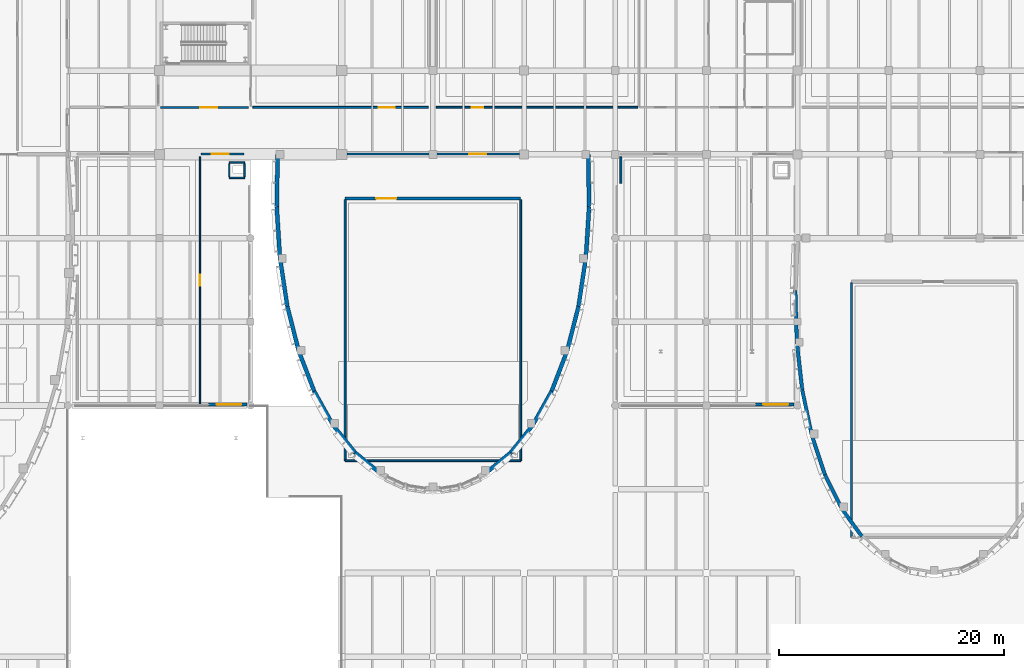
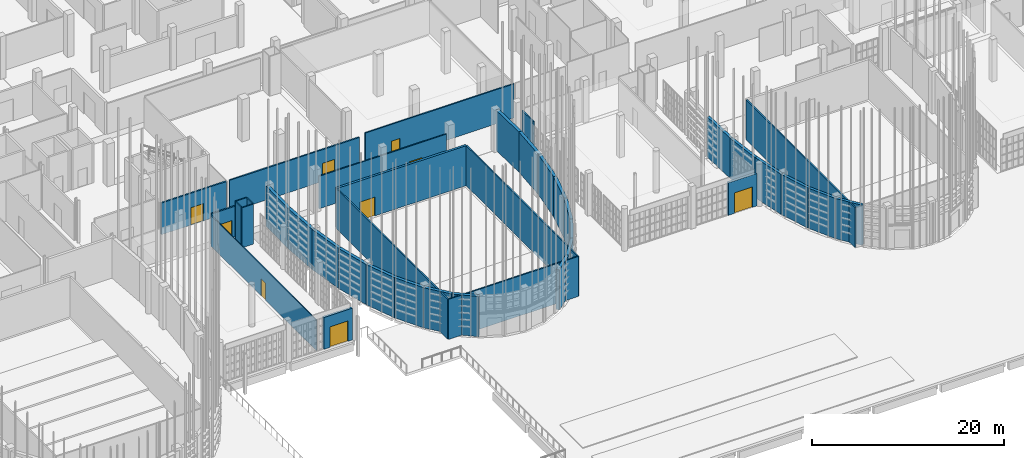
# One storey, part 350 of 372: 40 walls, 9 doors, 9 openings.
"""IFC4 building model written with IfcOpenShell, lengths in metres."""

import ifcopenshell
import ifcopenshell.guid

model = None  # the IFC model being written
_history = None  # IfcOwnerHistory: only IFC2X3 demands one
_inside = {}  # id of a spatial element -> (the spatial element, [elements in it])
_under = {}  # id of a project, library or spatial element -> (it, [spatial elements below it])
_declared = {}  # id of a project -> (the project, [libraries it declares])
_typed = {}  # id of a type object -> (the type object, [elements of that type])
_made_of = {}  # id of a material, layer set ... -> (it, [elements and type objects made of it])


def new_model(schema):
    """Start an empty IFC model of exactly this schema.

    Asked for "IFC4X3", IfcOpenShell would pick the latest addendum, in which some entities
    have other attributes; the version numbers below select the first issue.
    IFC2X3 requires an IfcOwnerHistory on every rooted entity: one is made here for all.
    """
    global model, _history
    if schema == "IFC4X3":
        model = ifcopenshell.file(schema_version=(4, 3, 0, 0))
    else:
        model = ifcopenshell.file(schema=schema)
    _inside.clear()
    _under.clear()
    _declared.clear()
    _typed.clear()
    _made_of.clear()
    _history = None
    if model.schema == "IFC2X3":
        org = make("IfcOrganization", Name="unknown")
        user = make(
            "IfcPersonAndOrganization",
            ThePerson=make("IfcPerson", FamilyName="unknown"),
            TheOrganization=org,
        )
        app = make(
            "IfcApplication",
            ApplicationDeveloper=org,
            Version="unknown",
            ApplicationFullName="unknown",
            ApplicationIdentifier="unknown",
        )
        _history = make(
            "IfcOwnerHistory",
            OwningUser=user,
            OwningApplication=app,
            ChangeAction="ADDED",
            CreationDate=0,
        )
    return model


def make(cls, **values):
    """One entity of the class cls with the attributes given. An attribute that is None is left unset."""
    return model.create_entity(
        cls, **{name: value for name, value in values.items() if value is not None}
    )


def rooted(cls, **values):
    """An entity with a GlobalId (a new one), such as an element, a storey or a relation."""
    return make(cls, GlobalId=ifcopenshell.guid.new(), OwnerHistory=_history, **values)


def si_unit(unit_type, name, prefix=None):
    """IfcSIUnit, for example si_unit("LENGTHUNIT", "METRE", prefix="MILLI")."""
    return make("IfcSIUnit", UnitType=unit_type, Prefix=prefix, Name=name)


def assignment(units):
    """IfcUnitAssignment: the units of a project."""
    return None if units is None else make("IfcUnitAssignment", Units=units)


def point(xyz):
    """IfcCartesianPoint."""
    return None if xyz is None else make("IfcCartesianPoint", Coordinates=xyz)


def direction(xyz):
    """IfcDirection."""
    return None if xyz is None else make("IfcDirection", DirectionRatios=xyz)


def frame(location, z_axis=None, x_axis=None):
    """IfcAxis2Placement3D, a coordinate frame: its origin and axes. An axis left out is left unset."""
    return make(
        "IfcAxis2Placement3D",
        Location=point(location),
        Axis=direction(z_axis),
        RefDirection=direction(x_axis),
    )


def frame_2d(location, x_axis=None):
    """IfcAxis2Placement2D, a coordinate frame in the plane: its origin and x axis."""
    return make(
        "IfcAxis2Placement2D", Location=point(location), RefDirection=direction(x_axis)
    )


def origin():
    """The frame at (0, 0, 0) with its axes left unset."""
    return frame((0.0, 0.0, 0.0))


def place(relative_to, where):
    """IfcLocalPlacement: puts the frame where relative to a parent placement (None: the world)."""
    return make(
        "IfcLocalPlacement", PlacementRelTo=relative_to, RelativePlacement=where
    )


def context(
    kind, dimensions, precision=None, world=None, true_north=None, identifier=None
):
    """IfcGeometricRepresentationContext, for example the 3D "Model" context."""
    return make(
        "IfcGeometricRepresentationContext",
        ContextIdentifier=identifier,
        ContextType=kind,
        CoordinateSpaceDimension=dimensions,
        Precision=precision,
        WorldCoordinateSystem=world,
        TrueNorth=true_north,
    )


def subcontext(parent, identifier, kind, view, scale=None):
    """IfcGeometricRepresentationSubContext, for example "Body" below "Model"."""
    return make(
        "IfcGeometricRepresentationSubContext",
        ContextIdentifier=identifier,
        ContextType=kind,
        ParentContext=parent,
        TargetScale=scale,
        TargetView=view,
    )


def project(units=None, contexts=None):
    """IfcProject with its units and contexts."""
    return rooted(
        "IfcProject",
        Name="project",
        RepresentationContexts=contexts,
        UnitsInContext=assignment(units),
    )


def spatial(cls, under=None, at=None, **own):
    """A site, building, storey or space (cls), placed at a placement, below another one or the project."""
    s = rooted(cls, ObjectPlacement=at, **own)
    if under is not None:
        _under.setdefault(under.id(), (under, []))[1].append(s)
    return s


def profile(cls, at=None, kind="AREA", **sizes):
    """A parametric profile (cls). Its sizes go by their IFC names, for example OverallWidth=200.0."""
    return make(cls, ProfileType=kind, Position=at, **sizes)


def rectangle(**sizes):
    """IfcRectangleProfileDef."""
    return profile("IfcRectangleProfileDef", **sizes)


def extrude(swept, where, along, depth):
    """IfcExtrudedAreaSolid: the profile swept, set in the frame where, extruded along a direction by depth."""
    return make(
        "IfcExtrudedAreaSolid",
        SweptArea=swept,
        Position=where,
        ExtrudedDirection=direction(along),
        Depth=depth,
    )


def shape(context_of_items, identifier, shape_type, items):
    """IfcShapeRepresentation: the items that make up one representation, for example the "Body"."""
    return make(
        "IfcShapeRepresentation",
        ContextOfItems=context_of_items,
        RepresentationIdentifier=identifier,
        RepresentationType=shape_type,
        Items=items,
    )


def material(Name=None, Category=None):
    """IfcMaterial."""
    return make("IfcMaterial", Name=Name, Category=Category)


def layer(
    of_material, thickness, ventilated=None, Name=None, Category=None, Priority=None
):
    """IfcMaterialLayer: one layer of a wall or slab, of a material (None: an air gap)."""
    return make(
        "IfcMaterialLayer",
        Material=of_material,
        LayerThickness=thickness,
        IsVentilated=ventilated,
        Name=Name,
        Category=Category,
        Priority=Priority,
    )


def layer_set(layers, Name=None):
    """IfcMaterialLayerSet."""
    return make("IfcMaterialLayerSet", MaterialLayers=layers, LayerSetName=Name)


def made_of(thing, what):
    """Note that an element or type object is made of a material, layer set ...; save() writes the relation."""
    if what is not None:
        _made_of.setdefault(what.id(), (what, []))[1].append(thing)
    return thing


def type_object(cls, material=None, **own):
    """A type object (cls), such as IfcWallType, which elements share."""
    return made_of(rooted(cls, **own), material)


def element(
    cls,
    number,
    at=None,
    inside=None,
    cuts=None,
    type_object=None,
    material=None,
    context=None,
    identifier="Body",
    shape_type=None,
    held_by="IfcProductDefinitionShape",
    body=None,
    shapes=None,
    **own,
):
    """One element of the class cls, such as IfcWall. Its Tag is "e" and its number.

    at: its placement. inside: the storey or other place that contains it. cuts: it is an
    opening in that element (IfcRelVoidsElement). A single representation is given by context,
    identifier, shape_type and body (its items); several are given by shapes. held_by: the class
    of the entity that holds the representations. save() writes the other relations.
    """
    e = rooted(cls, Tag="e%d" % number, ObjectPlacement=at, **own)
    if body is not None:
        shapes = [shape(context, identifier, shape_type, body)]
    if shapes is not None:
        e.Representation = make(held_by, Representations=shapes)
    if inside is not None:
        _inside.setdefault(inside.id(), (inside, []))[1].append(e)
    if cuts is not None:
        rooted(
            "IfcRelVoidsElement", RelatingBuildingElement=cuts, RelatedOpeningElement=e
        )
    if type_object is not None:
        _typed.setdefault(type_object.id(), (type_object, []))[1].append(e)
    return made_of(e, material)


def fill(opening, filler):
    """IfcRelFillsElement: the door or window that sits in an opening."""
    return rooted(
        "IfcRelFillsElement",
        RelatingOpeningElement=opening,
        RelatedBuildingElement=filler,
    )


def aggregate(whole, parts):
    """IfcRelAggregates: a whole, such as a stair, and the parts it consists of."""
    return rooted("IfcRelAggregates", RelatingObject=whole, RelatedObjects=parts)


def save(model, path):
    """Write the relations noted so far, then the file.

    IfcRelAggregates (storeys below a building ...), IfcRelContainedInSpatialStructure (elements
    in a storey), IfcRelDefinesByType, IfcRelAssociatesMaterial and IfcRelDeclares: one each for
    every whole, place, type object, material and project.
    """
    for whole, parts in _under.values():
        aggregate(whole, parts)
    for where, things in _inside.values():
        rooted(
            "IfcRelContainedInSpatialStructure",
            RelatedElements=things,
            RelatingStructure=where,
        )
    for kind, things in _typed.values():
        rooted("IfcRelDefinesByType", RelatedObjects=things, RelatingType=kind)
    for what, things in _made_of.values():
        rooted("IfcRelAssociatesMaterial", RelatedObjects=things, RelatingMaterial=what)
    for by, libraries in _declared.values():
        rooted("IfcRelDeclares", RelatingContext=by, RelatedDefinitions=libraries)
    model.write(path)


model = new_model("IFC4")

# Units and contexts
model_context = context("Model", 3, precision=1e-05, world=origin(), true_north=direction((0.0, 1.0)))
body_context = subcontext(model_context, "Body", "Model", "MODEL_VIEW")
ifc_project = project(units=[si_unit("LENGTHUNIT", "METRE"), si_unit("AREAUNIT", "SQUARE_METRE"), si_unit("VOLUMEUNIT", "CUBIC_METRE"), si_unit("PLANEANGLEUNIT", "RADIAN"), si_unit("MASSUNIT", "GRAM", prefix="KILO")], contexts=[model_context])

# Site, building, storey
site_placement = place(None, origin())
site = spatial("IfcSite", under=ifc_project, at=site_placement, CompositionType="ELEMENT")
building_placement = place(site_placement, origin())
building = spatial("IfcBuilding", under=site, at=building_placement, Name="Kaelora Sail Theatre", CompositionType="ELEMENT")
storey_placement = place(building_placement, origin())
storey = spatial("IfcBuildingStorey", under=building, at=storey_placement, Name="L00", CompositionType="ELEMENT", Elevation=0.0)

# Walls
ifc_material_1 = material(Name="Concrete C45/55", Category="concrete")
ifc_layer_1 = layer(ifc_material_1, 0.320068359375)
ifc_layer_set_1 = layer_set([ifc_layer_1], Name="Concrete C45/55")
wall_type_1 = type_object("IfcWallType", Name="ARC-WL-DW-320", PredefinedType="SHEAR", material=ifc_layer_set_1)
wall_1_placement = place(storey_placement, frame((128.723876953125, 27.063720703125, 0.0), z_axis=(0.0, 0.0, 1.0), x_axis=(-0.590526669923, 0.80701812378, 0.0)))
element("IfcWall", 1, at=wall_1_placement, inside=storey, type_object=wall_type_1, Name="Black-Box and Experimental Sail Wing curved drum acoustic wall L00 chord 14", PredefinedType="SHEAR", context=body_context, shape_type="SweptSolid", body=[
    extrude(rectangle(XDim=3.0234375, YDim=0.320068359375, at=frame_2d((1.51171875, 0.0))), origin(), (0.0, 0.0, 1.0), 5.10498046875),
])
wall_2_placement = place(storey_placement, frame((126.9384765625, 29.503662109375, 0.0), z_axis=(0.0, 0.0, 1.0), x_axis=(-0.444471407129, 0.895793038734, 0.0)))
element("IfcWall", 2, at=wall_2_placement, inside=storey, type_object=wall_type_1, Name="Black-Box and Experimental Sail Wing curved drum acoustic wall L00 chord 15", PredefinedType="SHEAR", context=body_context, shape_type="SweptSolid", body=[
    extrude(rectangle(XDim=3.3857421875, YDim=0.320068359375, at=frame_2d((1.69287109375, 0.0))), origin(), (0.0, 0.0, 1.0), 5.10498046875),
])
wall_3_placement = place(storey_placement, frame((125.43359375, 32.53662109375, 0.0), z_axis=(0.0, 0.0, 1.0), x_axis=(-0.316110347453, 0.948722429498, 0.0)))
element("IfcWall", 3, at=wall_3_placement, inside=storey, type_object=wall_type_1, Name="Black-Box and Experimental Sail Wing curved drum acoustic wall L00 chord 16", PredefinedType="SHEAR", context=body_context, shape_type="SweptSolid", body=[
    extrude(rectangle(XDim=3.74267578125, YDim=0.320068359375, at=frame_2d((1.871337890625, 0.0))), origin(), (0.0, 0.0, 1.0), 5.10498046875),
])
wall_4_placement = place(storey_placement, frame((124.25048828125, 36.08740234375, 0.0), z_axis=(0.0, 0.0, 1.0), x_axis=(-0.205581027368, 0.978640097884, 0.0)))
element("IfcWall", 4, at=wall_4_placement, inside=storey, type_object=wall_type_1, Name="Black-Box and Experimental Sail Wing curved drum acoustic wall L00 chord 17", PredefinedType="SHEAR", context=body_context, shape_type="SweptSolid", body=[
    extrude(rectangle(XDim=4.068603515625, YDim=0.320068359375, at=frame_2d((2.0341796875, 0.0))), origin(), (0.0, 0.0, 1.0), 5.10498046875),
])
wall_5_placement = place(storey_placement, frame((123.4140625, 40.069091796875, 0.0), z_axis=(0.0, 0.0, 1.0), x_axis=(-0.110727786474, 0.99385077215, 0.0)))
element("IfcWall", 5, at=wall_5_placement, inside=storey, type_object=wall_type_1, Name="Black-Box and Experimental Sail Wing curved drum acoustic wall L00 chord 18", PredefinedType="SHEAR", context=body_context, shape_type="SweptSolid", body=[
    extrude(rectangle(XDim=4.34130859375, YDim=0.320068359375, at=frame_2d((2.170654296875, 0.0))), origin(), (0.0, 0.0, 1.0), 5.10498046875),
])
wall_6_placement = place(storey_placement, frame((122.933349609375, 44.3837890625, 0.0), z_axis=(0.0, 0.0, 1.0), x_axis=(-0.028914192202, 0.99958189734, 0.0)))
element("IfcWall", 6, at=wall_6_placement, inside=storey, type_object=wall_type_1, Name="Black-Box and Experimental Sail Wing curved drum acoustic wall L00 chord 19", PredefinedType="SHEAR", context=body_context, shape_type="SweptSolid", body=[
    extrude(rectangle(XDim=4.542724609375, YDim=0.320068359375, at=frame_2d((2.271484375, 0.0))), origin(), (0.0, 0.0, 1.0), 5.10498046875),
])
ifc_material_2 = material(Name="Concrete C45/55", Category="concrete")
ifc_layer_2 = layer(ifc_material_2, 0.360107421875)
ifc_layer_set_2 = layer_set([ifc_layer_2], Name="Concrete C45/55")
wall_type_2 = type_object("IfcWallType", Name="ARC-WL-DW-360", PredefinedType="SHEAR", material=ifc_layer_set_2)
wall_7_placement = place(storey_placement, frame((104.39990234375, 61.02001953125, 0.0), z_axis=(0.0, 0.0, 1.0), x_axis=(0.0166215432, -0.999861852608, 0.0)))
element("IfcWall", 7, at=wall_7_placement, inside=storey, type_object=wall_type_2, Name="Studio Theatre Sail Drum curved drum acoustic wall L00 chord 1", PredefinedType="SHEAR", context=body_context, shape_type="SweptSolid", body=[
    extrude(rectangle(XDim=4.65625, YDim=0.360107421875, at=frame_2d((2.328125, 0.0))), origin(), (0.0, 0.0, 1.0), 5.10498046875),
])
wall_8_placement = place(storey_placement, frame((104.477294921875, 56.364501953125, 0.0), z_axis=(0.0, 0.0, 1.0), x_axis=(-0.062087628492, -0.998070702099, 0.0)))
element("IfcWall", 8, at=wall_8_placement, inside=storey, type_object=wall_type_2, Name="Studio Theatre Sail Drum curved drum acoustic wall L00 chord 2", PredefinedType="SHEAR", context=body_context, shape_type="SweptSolid", body=[
    extrude(rectangle(XDim=4.549560546875, YDim=0.360107421875, at=frame_2d((2.27490234375, 0.0))), origin(), (0.0, 0.0, 1.0), 5.10498046875),
])
wall_9_placement = place(storey_placement, frame((104.19482421875, 51.82373046875, 0.0), z_axis=(0.0, 0.0, 1.0), x_axis=(-0.149336298687, -0.988786463244, 0.0)))
element("IfcWall", 9, at=wall_9_placement, inside=storey, type_object=wall_type_2, Name="Studio Theatre Sail Drum curved drum acoustic wall L00 chord 3", PredefinedType="SHEAR", context=body_context, shape_type="SweptSolid", body=[
    extrude(rectangle(XDim=4.36328125, YDim=0.360107421875, at=frame_2d((2.181640625, 0.0))), origin(), (0.0, 0.0, 1.0), 5.10498046875),
])
wall_10_placement = place(storey_placement, frame((103.543212890625, 47.50927734375, 0.0), z_axis=(0.0, 0.0, 1.0), x_axis=(-0.247662085518, -0.968846474627, 0.0)))
element("IfcWall", 10, at=wall_10_placement, inside=storey, type_object=wall_type_2, Name="Studio Theatre Sail Drum curved drum acoustic wall L00 chord 4", PredefinedType="SHEAR", context=body_context, shape_type="SweptSolid", body=[
    extrude(rectangle(XDim=4.109619140625, YDim=0.360107421875, at=frame_2d((2.0546875, 0.0))), origin(), (0.0, 0.0, 1.0), 5.10498046875),
])
wall_11_placement = place(storey_placement, frame((102.525390625, 43.527587890625, 0.0), z_axis=(0.0, 0.0, 1.0), x_axis=(-0.359301516444, -0.933221527978, 0.0)))
element("IfcWall", 11, at=wall_11_placement, inside=storey, type_object=wall_type_2, Name="Studio Theatre Sail Drum curved drum acoustic wall L00 chord 5", PredefinedType="SHEAR", context=body_context, shape_type="SweptSolid", body=[
    extrude(rectangle(XDim=3.80517578125, YDim=0.360107421875, at=frame_2d((1.902587890625, 0.0))), origin(), (0.0, 0.0, 1.0), 5.10498046875),
])
wall_12_placement = place(storey_placement, frame((101.158203125, 39.9765625, 0.0), z_axis=(0.0, 0.0, 1.0), x_axis=(-0.4858221348, -0.874057694514, 0.0)))
element("IfcWall", 12, at=wall_12_placement, inside=storey, type_object=wall_type_2, Name="Studio Theatre Sail Drum curved drum acoustic wall L00 chord 6", PredefinedType="SHEAR", context=body_context, shape_type="SweptSolid", body=[
    extrude(rectangle(XDim=3.469970703125, YDim=0.360107421875, at=frame_2d((1.73486328125, 0.0))), origin(), (0.0, 0.0, 1.0), 5.10498046875),
])
wall_13_placement = place(storey_placement, frame((99.472412109375, 36.943603515625, 0.0), z_axis=(0.0, 0.0, 1.0), x_axis=(-0.626301385679, -0.779581024844, 0.0)))
element("IfcWall", 13, at=wall_13_placement, inside=storey, type_object=wall_type_2, Name="Studio Theatre Sail Drum curved drum acoustic wall L00 chord 7", PredefinedType="SHEAR", context=body_context, shape_type="SweptSolid", body=[
    extrude(rectangle(XDim=3.1298828125, YDim=0.360107421875, at=frame_2d((1.56494140625, 0.0))), origin(), (0.0, 0.0, 1.0), 5.10498046875),
])
for number, where, z_axis, x_axis, name in (
    (14, (97.51220703125, 34.503662109375, 0.0), (0.0, 0.0, 1.0), (-0.772994903331, -0.634412231459, 0.0), "Studio Theatre Sail Drum curved drum acoustic wall L00 chord 8"),
    (15, (85.865234375, 32.716552734375, 0.0), (0.0, 0.0, 1.0), (-0.772994903331, 0.634412231459, 0.0), "Studio Theatre Sail Drum curved drum acoustic wall L00 chord 13"),
):
    element("IfcWall", number, at=place(storey_placement, frame(where, z_axis=z_axis, x_axis=x_axis)), inside=storey, type_object=wall_type_2, Name=name, PredefinedType="SHEAR", context=body_context, shape_type="SweptSolid", body=[
        extrude(rectangle(XDim=2.81689453125, YDim=0.360107421875, at=frame_2d((1.408447265625, 0.0))), origin(), (0.0, 0.0, 1.0), 5.10498046875),
    ])
wall_14_placement = place(storey_placement, frame((83.687744140625, 34.503662109375, 0.0), z_axis=(0.0, 0.0, 1.0), x_axis=(-0.62625397499, 0.779619111367, 0.0)))
element("IfcWall", 16, at=wall_14_placement, inside=storey, type_object=wall_type_2, Name="Studio Theatre Sail Drum curved drum acoustic wall L00 chord 14", PredefinedType="SHEAR", context=body_context, shape_type="SweptSolid", body=[
    extrude(rectangle(XDim=3.129638671875, YDim=0.360107421875, at=frame_2d((1.56494140625, 0.0))), origin(), (0.0, 0.0, 1.0), 5.10498046875),
])
wall_15_placement = place(storey_placement, frame((81.727783203125, 36.943603515625, 0.0), z_axis=(0.0, 0.0, 1.0), x_axis=(-0.4858221348, 0.874057694514, 0.0)))
element("IfcWall", 17, at=wall_15_placement, inside=storey, type_object=wall_type_2, Name="Studio Theatre Sail Drum curved drum acoustic wall L00 chord 15", PredefinedType="SHEAR", context=body_context, shape_type="SweptSolid", body=[
    extrude(rectangle(XDim=3.469970703125, YDim=0.360107421875, at=frame_2d((1.73486328125, 0.0))), origin(), (0.0, 0.0, 1.0), 5.10498046875),
])
wall_16_placement = place(storey_placement, frame((80.0419921875, 39.9765625, 0.0), z_axis=(0.0, 0.0, 1.0), x_axis=(-0.359301516444, 0.933221527978, 0.0)))
element("IfcWall", 18, at=wall_16_placement, inside=storey, type_object=wall_type_2, Name="Studio Theatre Sail Drum curved drum acoustic wall L00 chord 16", PredefinedType="SHEAR", context=body_context, shape_type="SweptSolid", body=[
    extrude(rectangle(XDim=3.80517578125, YDim=0.360107421875, at=frame_2d((1.902587890625, 0.0))), origin(), (0.0, 0.0, 1.0), 5.10498046875),
])
wall_17_placement = place(storey_placement, frame((78.6748046875, 43.527587890625, 0.0), z_axis=(0.0, 0.0, 1.0), x_axis=(-0.247662085518, 0.968846474627, 0.0)))
element("IfcWall", 19, at=wall_17_placement, inside=storey, type_object=wall_type_2, Name="Studio Theatre Sail Drum curved drum acoustic wall L00 chord 17", PredefinedType="SHEAR", context=body_context, shape_type="SweptSolid", body=[
    extrude(rectangle(XDim=4.109619140625, YDim=0.360107421875, at=frame_2d((2.0546875, 0.0))), origin(), (0.0, 0.0, 1.0), 5.10498046875),
])
wall_18_placement = place(storey_placement, frame((77.656982421875, 47.50927734375, 0.0), z_axis=(0.0, 0.0, 1.0), x_axis=(-0.149391002348, 0.988778199809, 0.0)))
element("IfcWall", 20, at=wall_18_placement, inside=storey, type_object=wall_type_2, Name="Studio Theatre Sail Drum curved drum acoustic wall L00 chord 18", PredefinedType="SHEAR", context=body_context, shape_type="SweptSolid", body=[
    extrude(rectangle(XDim=4.363525390625, YDim=0.360107421875, at=frame_2d((2.181640625, 0.0))), origin(), (0.0, 0.0, 1.0), 5.10498046875),
])
wall_19_placement = place(storey_placement, frame((77.005126953125, 51.82373046875, 0.0), z_axis=(0.0, 0.0, 1.0), x_axis=(-0.062087628492, 0.998070702099, 0.0)))
element("IfcWall", 21, at=wall_19_placement, inside=storey, type_object=wall_type_2, Name="Studio Theatre Sail Drum curved drum acoustic wall L00 chord 19", PredefinedType="SHEAR", context=body_context, shape_type="SweptSolid", body=[
    extrude(rectangle(XDim=4.549560546875, YDim=0.360107421875, at=frame_2d((2.27490234375, 0.0))), origin(), (0.0, 0.0, 1.0), 5.10498046875),
])
wall_20_placement = place(storey_placement, frame((76.72265625, 56.364501953125, 0.0), z_axis=(0.0, 0.0, 1.0), x_axis=(0.0166215432, 0.999861852608, 0.0)))
element("IfcWall", 22, at=wall_20_placement, inside=storey, type_object=wall_type_2, Name="Studio Theatre Sail Drum curved drum acoustic wall L00 chord 20", PredefinedType="SHEAR", context=body_context, shape_type="SweptSolid", body=[
    extrude(rectangle(XDim=4.65625, YDim=0.360107421875, at=frame_2d((2.328125, 0.0))), origin(), (0.0, 0.0, 1.0), 5.10498046875),
])

# Wall, opening, door
ifc_material_3 = material(Name="Precast concrete C45/55", Category="concrete")
ifc_layer_3 = layer(ifc_material_3, 0.280029296875)
ifc_layer_set_3 = layer_set([ifc_layer_3], Name="Precast concrete C45/55")
wall_type_3 = type_object("IfcWallType", Name="ARC-WL-EW-280", PredefinedType="SOLIDWALL", material=ifc_layer_set_3)
wall_21_placement = place(storey_placement, frame((74.070068359375, 38.7900390625, 0.0), z_axis=(0.0, 0.0, 1.0), x_axis=(-1.0, 0.0, 0.0)))
wall_21 = element("IfcWall", 23, at=wall_21_placement, inside=storey, type_object=wall_type_3, Name="West Interstitial Foyer Portal Pier (L00)", PredefinedType="SOLIDWALL", context=body_context, shape_type="SweptSolid", body=[
    extrude(rectangle(XDim=3.41015625, YDim=0.280029296875, at=frame_2d((1.705078125, 0.0))), origin(), (0.0, 0.0, 1.0), 4.037109375),
])
opening_1_placement = place(wall_21_placement, frame((0.5, 0.0, 0.0)))
opening_1 = element("IfcOpeningElement", 24, at=opening_1_placement, cuts=wall_21, Name="Opening ED-01", PredefinedType="OPENING", context=body_context, shape_type="SweptSolid", body=[
    extrude(rectangle(XDim=2.199951171875, YDim=2.60009765625, at=frame_2d((1.10009765625, 1.300048828125))), frame((0.0, 0.150137, 0.0), z_axis=(0.0, -1.0, 0.0), x_axis=(1.0, 0.0, 0.0)), (0.0, 0.0, 1.0), 0.300029),
])
ifc_material_4 = material(Name="Aluminium glazed double plaza entrance door", Category="aluminium")
door_type_1 = type_object("IfcDoorType", Name="ARC-DR-ED-01", OperationType="NOTDEFINED", PredefinedType="DOOR", material=ifc_material_4)
door_1_placement = place(opening_1_placement, origin())
door_1 = element("IfcDoor", 25, at=door_1_placement, inside=storey, type_object=door_type_1, Name="West Interstitial Foyer Entrance/Terrace Door (L00)", OperationType="DOUBLE_DOOR_SINGLE_SWING", OverallHeight=2.60009765625, OverallWidth=2.199951171875, PredefinedType="DOOR", context=body_context, shape_type="SweptSolid", body=[
    extrude(rectangle(XDim=2.199951171875, YDim=2.60009765625, at=frame_2d((1.10009765625, 1.300048828125))), frame((0.0, 0.02490234375, 0.0), z_axis=(0.0, -1.0, 0.0), x_axis=(1.0, 0.0, 0.0)), (0.0, 0.0, 1.0), 0.050048828125),
])
fill(opening_1, door_1)

wall_22_placement = place(storey_placement, frame((122.669921875, 38.7900390625, 0.0), z_axis=(0.0, 0.0, 1.0), x_axis=(-1.0, 0.0, 0.0)))
wall_22 = element("IfcWall", 26, at=wall_22_placement, inside=storey, type_object=wall_type_3, Name="East Interstitial Foyer Portal Pier (L00)", PredefinedType="SOLIDWALL", context=body_context, shape_type="SweptSolid", body=[
    extrude(rectangle(XDim=3.409912109375, YDim=0.280029296875, at=frame_2d((1.705078125, 0.0))), origin(), (0.0, 0.0, 1.0), 4.136962890625),
])
opening_2_placement = place(wall_22_placement, frame((0.5, 0.0, 0.0)))
opening_2 = element("IfcOpeningElement", 27, at=opening_2_placement, cuts=wall_22, Name="Opening ED-01", PredefinedType="OPENING", context=body_context, shape_type="SweptSolid", body=[
    extrude(rectangle(XDim=2.199951171875, YDim=2.60009765625, at=frame_2d((1.10009765625, 1.300048828125))), frame((0.0, 0.150137, 0.0), z_axis=(0.0, -1.0, 0.0), x_axis=(1.0, 0.0, 0.0)), (0.0, 0.0, 1.0), 0.300029),
])
door_2_placement = place(opening_2_placement, origin())
door_2 = element("IfcDoor", 28, at=door_2_placement, inside=storey, type_object=door_type_1, Name="East Interstitial Foyer Entrance/Terrace Door (L00)", OperationType="DOUBLE_DOOR_SINGLE_SWING", OverallHeight=2.60009765625, OverallWidth=2.199951171875, PredefinedType="DOOR", context=body_context, shape_type="SweptSolid", body=[
    extrude(rectangle(XDim=2.199951171875, YDim=2.60009765625, at=frame_2d((1.10009765625, 1.300048828125))), frame((0.0, 0.02490234375, 0.0), z_axis=(0.0, -1.0, 0.0), x_axis=(1.0, 0.0, 0.0)), (0.0, 0.0, 1.0), 0.050048828125),
])
fill(opening_2, door_2)

ifc_material_5 = material(Name="Demountable acoustic studio wall 150 mm", Category="timber")
ifc_layer_4 = layer(ifc_material_5, 0.14990234375)
ifc_layer_set_4 = layer_set([ifc_layer_4], Name="Demountable acoustic studio wall 150 mm")
wall_type_4 = type_object("IfcWallType", Name="ARC-WL-MV-150", PredefinedType="MOVABLE", material=ifc_layer_set_4)
wall_23_placement = place(storey_placement, frame((82.955078125, 61.050048828125, 0.0), z_axis=(0.0, 0.0, 1.0), x_axis=(1.0, 0.0, 0.0)))
wall_23 = element("IfcWall", 29, at=wall_23_placement, inside=storey, type_object=wall_type_4, Name="Interior acoustic partition L00-STUD-LOB/L00-COR-FOYC", PredefinedType="MOVABLE", context=body_context, shape_type="SweptSolid", body=[
    extrude(rectangle(XDim=15.33984375, YDim=0.14990234375, at=frame_2d((7.669921875, 0.0))), origin(), (0.0, 0.0, 1.0), 4.136962890625),
])
opening_3_placement = place(wall_23_placement, frame((10.883056640625, 0.0, 0.0)))
opening_3 = element("IfcOpeningElement", 30, at=opening_3_placement, cuts=wall_23, Name="Opening FD-01", PredefinedType="OPENING", context=body_context, shape_type="SweptSolid", body=[
    extrude(rectangle(XDim=1.5, YDim=2.199951171875, at=frame_2d((0.75, 1.10009765625))), frame((0.0, 0.084951, 0.0), z_axis=(0.0, -1.0, 0.0), x_axis=(1.0, 0.0, 0.0)), (0.0, 0.0, 1.0), 0.169902),
])
ifc_material_6 = material(Name="Acoustic steel double fire door EI 90-C", Category="steel")
door_type_2 = type_object("IfcDoorType", Name="ARC-DR-FD-01", OperationType="NOTDEFINED", PredefinedType="DOOR", material=ifc_material_6)
door_3_placement = place(opening_3_placement, origin())
door_3 = element("IfcDoor", 31, at=door_3_placement, inside=storey, type_object=door_type_2, Name="Interior door L00-STUD-LOB to L00-COR-FOYC", OperationType="DOUBLE_DOOR_SINGLE_SWING", OverallHeight=2.199951171875, OverallWidth=1.5, PredefinedType="DOOR", context=body_context, shape_type="SweptSolid", body=[
    extrude(rectangle(XDim=1.5, YDim=2.199951171875, at=frame_2d((0.75, 1.10009765625))), frame((0.0, 0.02490234375, 0.0), z_axis=(0.0, -1.0, 0.0), x_axis=(1.0, 0.0, 0.0)), (0.0, 0.0, 1.0), 0.050048828125),
])
fill(opening_3, door_3)

# Walls
ifc_material_7 = material(Name="Standard metal-stud partition 120 mm", Category="gypsum")
ifc_layer_5 = layer(ifc_material_7, 0.1201171875)
ifc_layer_set_5 = layer_set([ifc_layer_5], Name="Standard metal-stud partition 120 mm")
wall_type_5 = type_object("IfcWallType", Name="ARC-WL-PT-120", PredefinedType="PARTITIONING", material=ifc_layer_set_5)
for number, where, z_axis, x_axis, name in (
    (32, (72.5048828125, 58.925048828125, 0.0), (0.0, 0.0, 1.0), (1.0, 0.0, 0.0), "MEP riser shaft wall FI-WEST-L00-S"),
    (33, (72.5048828125, 60.284912109375, 0.0), (0.0, 0.0, 1.0), (1.0, 0.0, 0.0), "MEP riser shaft wall FI-WEST-L00-N"),
):
    element("IfcWall", number, at=place(storey_placement, frame(where, z_axis=z_axis, x_axis=x_axis)), inside=storey, type_object=wall_type_5, Name=name, PredefinedType="PARTITIONING", context=body_context, shape_type="SweptSolid", body=[
        extrude(rectangle(XDim=1.360107421875, YDim=0.1201171875, at=frame_2d((0.68017578125, 0.0))), origin(), (0.0, 0.0, 1.0), 5.0849609375),
    ])
for number, where, z_axis, x_axis, name in (
    (34, (72.5048828125, 59.044921875, 0.0), (0.0, 0.0, 1.0), (0.0, 1.0, 0.0), "MEP riser shaft wall FI-WEST-L00-W"),
    (35, (73.864990234375, 59.044921875, 0.0), (0.0, 0.0, 1.0), (0.0, 1.0, 0.0), "MEP riser shaft wall FI-WEST-L00-E"),
):
    element("IfcWall", number, at=place(storey_placement, frame(where, z_axis=z_axis, x_axis=x_axis)), inside=storey, type_object=wall_type_5, Name=name, PredefinedType="PARTITIONING", context=body_context, shape_type="SweptSolid", body=[
        extrude(rectangle(XDim=1.1201171875, YDim=0.1201171875, at=frame_2d((0.56005859375, 0.0))), origin(), (0.0, 0.0, 1.0), 5.0849609375),
    ])

# Wall, opening, door
wall_24_placement = place(storey_placement, frame((69.89990234375, 38.8701171875, 0.0), z_axis=(0.0, 0.0, 1.0), x_axis=(0.0, 1.0, 0.0)))
wall_24 = element("IfcWall", 36, at=wall_24_placement, inside=storey, type_object=wall_type_5, Name="Interior acoustic partition L00-FOY-INTER1/L00-COR-INTER1", PredefinedType="PARTITIONING", context=body_context, shape_type="SweptSolid", body=[
    extrude(rectangle(XDim=21.929931640625, YDim=0.1201171875, at=frame_2d((10.96484375, 0.0))), origin(), (0.0, 0.0, 1.0), 3.886962890625),
])
opening_4_placement = place(wall_24_placement, frame((10.489990234375, 0.0, 0.0)))
opening_4 = element("IfcOpeningElement", 37, at=opening_4_placement, cuts=wall_24, Name="Opening ID-02", PredefinedType="OPENING", context=body_context, shape_type="SweptSolid", body=[
    extrude(rectangle(XDim=0.949951171875, YDim=2.14990234375, at=frame_2d((0.47509765625, 1.074951171875))), frame((0.0, 0.070059, 0.0), z_axis=(0.0, -1.0, 0.0), x_axis=(1.0, 0.0, 0.0)), (0.0, 0.0, 1.0), 0.140117),
])
ifc_material_8 = material(Name="Timber dressing and office single door", Category="wood")
door_type_3 = type_object("IfcDoorType", Name="ARC-DR-ID-02", OperationType="NOTDEFINED", PredefinedType="DOOR", material=ifc_material_8)
door_4_placement = place(opening_4_placement, origin())
door_4 = element("IfcDoor", 38, at=door_4_placement, inside=storey, type_object=door_type_3, Name="Interior door L00-FOY-INTER1 to L00-COR-INTER1", OperationType="SINGLE_SWING_RIGHT", OverallHeight=2.14990234375, OverallWidth=0.949951171875, PredefinedType="DOOR", context=body_context, shape_type="SweptSolid", body=[
    extrude(rectangle(XDim=0.949951171875, YDim=2.14990234375, at=frame_2d((0.47509765625, 1.074951171875))), frame((0.0, 0.02490234375, 0.0), z_axis=(0.0, -1.0, 0.0), x_axis=(1.0, 0.0, 0.0)), (0.0, 0.0, 1.0), 0.050048828125),
])
fill(opening_4, door_4)

ifc_material_9 = material(Name="Acoustic metal-stud plasterboard 160 mm", Category="gypsum")
ifc_layer_6 = layer(ifc_material_9, 0.159912109375)
ifc_layer_set_6 = layer_set([ifc_layer_6], Name="Acoustic metal-stud plasterboard 160 mm")
wall_type_6 = type_object("IfcWallType", Name="ARC-WL-PT-160", PredefinedType="PARTITIONING", material=ifc_layer_set_6)
wall_25_placement = place(storey_placement, frame((90.89990234375, 65.199951171875, 0.0), z_axis=(0.0, 0.0, 1.0), x_axis=(1.0, 0.0, 0.0)))
wall_25 = element("IfcWall", 39, at=wall_25_placement, inside=storey, type_object=wall_type_6, Name="Interior acoustic partition L00-COR-FOYC/L00-BAR-STALLS", PredefinedType="PARTITIONING", context=body_context, shape_type="SweptSolid", body=[
    extrude(rectangle(XDim=17.900146484375, YDim=0.159912109375, at=frame_2d((8.9501953125, 0.0))), origin(), (0.0, 0.0, 1.0), 4.3369140625),
])
opening_5_placement = place(wall_25_placement, frame((3.169921875, 0.0, 0.0)))
opening_5 = element("IfcOpeningElement", 40, at=opening_5_placement, cuts=wall_25, Name="Opening ID-01", PredefinedType="OPENING", context=body_context, shape_type="SweptSolid", body=[
    extrude(rectangle(XDim=1.0, YDim=2.199951171875, at=frame_2d((0.5, 1.10009765625))), frame((0.0, 0.090078, 0.0), z_axis=(0.0, -1.0, 0.0), x_axis=(1.0, 0.0, 0.0)), (0.0, 0.0, 1.0), 0.179912),
])
ifc_material_10 = material(Name="Solid timber acoustic studio single door", Category="wood")
door_type_4 = type_object("IfcDoorType", Name="ARC-DR-ID-01", OperationType="NOTDEFINED", PredefinedType="DOOR", material=ifc_material_10)
door_5_placement = place(opening_5_placement, origin())
door_5 = element("IfcDoor", 41, at=door_5_placement, inside=storey, type_object=door_type_4, Name="Interior door L00-COR-FOYC to L00-BAR-STALLS", OperationType="SINGLE_SWING_LEFT", OverallHeight=2.199951171875, OverallWidth=1.0, PredefinedType="DOOR", context=body_context, shape_type="SweptSolid", body=[
    extrude(rectangle(XDim=1.0, YDim=2.199951171875, at=frame_2d((0.5, 1.10009765625))), frame((0.0, 0.02490234375, 0.0), z_axis=(0.0, -1.0, 0.0), x_axis=(1.0, 0.0, 0.0)), (0.0, 0.0, 1.0), 0.050048828125),
])
fill(opening_5, door_5)

# Walls
wall_26_placement = place(storey_placement, frame((82.800048828125, 33.800048828125, 0.0), z_axis=(0.0, 0.0, 1.0), x_axis=(1.0, 0.0, 0.0)))
element("IfcWall", 42, at=wall_26_placement, inside=storey, type_object=wall_type_6, Name="Room enclosure wall L00-AUD-STUD-S1", PredefinedType="PARTITIONING", context=body_context, shape_type="SweptSolid", body=[
    extrude(rectangle(XDim=15.599853515625, YDim=0.159912109375, at=frame_2d((7.7998046875, 0.0))), origin(), (0.0, 0.0, 1.0), 5.0849609375),
])
for number, where, z_axis, x_axis, name in (
    (43, (82.800048828125, 33.800048828125, 0.0), (0.0, 0.0, 1.0), (0.0, 1.0, 0.0), "Room enclosure wall L00-AUD-STUD-W1"),
    (44, (98.39990234375, 33.800048828125, 0.0), (0.0, 0.0, 1.0), (0.0, 1.0, 0.0), "Room enclosure wall L00-AUD-STUD-E1"),
):
    element("IfcWall", number, at=place(storey_placement, frame(where, z_axis=z_axis, x_axis=x_axis)), inside=storey, type_object=wall_type_6, Name=name, PredefinedType="PARTITIONING", context=body_context, shape_type="SweptSolid", body=[
        extrude(rectangle(XDim=23.199951171875, YDim=0.159912109375, at=frame_2d((11.60009765625, 0.0))), origin(), (0.0, 0.0, 1.0), 5.0849609375),
    ])
wall_27_placement = place(storey_placement, frame((127.800048828125, 27.0, 0.0), z_axis=(0.0, 0.0, 1.0), x_axis=(0.0, 1.0, 0.0)))
element("IfcWall", 45, at=wall_27_placement, inside=storey, type_object=wall_type_6, Name="Room enclosure wall L00-AUD-BB-W1", PredefinedType="PARTITIONING", context=body_context, shape_type="SweptSolid", body=[
    extrude(rectangle(XDim=22.60009765625, YDim=0.159912109375, at=frame_2d((11.300048828125, 0.0))), origin(), (0.0, 0.0, 1.0), 5.0849609375),
])
wall_28_placement = place(storey_placement, frame((107.300048828125, 58.449951171875, 0.0), z_axis=(0.0, 0.0, 1.0), x_axis=(0.0, 1.0, 0.0)))
element("IfcWall", 46, at=wall_28_placement, inside=storey, type_object=wall_type_6, Name="Room enclosure wall L00-FOY-INTER2-W1", PredefinedType="PARTITIONING", context=body_context, shape_type="SweptSolid", body=[
    extrude(rectangle(XDim=2.35009765625, YDim=0.159912109375, at=frame_2d((1.175048828125, 0.0))), origin(), (0.0, 0.0, 1.0), 4.136962890625),
])

# Wall, opening, door
ifc_material_11 = material(Name="Workshop acoustic stud partition 170 mm", Category="gypsum")
ifc_layer_7 = layer(ifc_material_11, 0.169921875)
ifc_layer_set_7 = layer_set([ifc_layer_7], Name="Workshop acoustic stud partition 170 mm")
wall_type_7 = type_object("IfcWallType", Name="ARC-WL-PT-170", PredefinedType="PARTITIONING", material=ifc_layer_set_7)
wall_29_placement = place(storey_placement, frame((74.60009765625, 65.199951171875, 0.0), z_axis=(0.0, 0.0, 1.0), x_axis=(1.0, 0.0, 0.0)))
wall_29 = element("IfcWall", 47, at=wall_29_placement, inside=storey, type_object=wall_type_7, Name="Interior acoustic partition L00-COR-FOYC/L00-FOY-EXH", PredefinedType="PARTITIONING", context=body_context, shape_type="SweptSolid", body=[
    extrude(rectangle(XDim=15.599853515625, YDim=0.169921875, at=frame_2d((7.7998046875, 0.0))), origin(), (0.0, 0.0, 1.0), 4.037109375),
])
opening_6_placement = place(wall_29_placement, frame((11.172119140625, 0.0, 0.0)))
opening_6 = element("IfcOpeningElement", 48, at=opening_6_placement, cuts=wall_29, Name="Opening ID-12", PredefinedType="OPENING", context=body_context, shape_type="SweptSolid", body=[
    extrude(rectangle(XDim=1.449951171875, YDim=2.300048828125, at=frame_2d((0.72509765625, 1.14990234375))), frame((0.0, 0.094961, 0.0), z_axis=(0.0, -1.0, 0.0), x_axis=(1.0, 0.0, 0.0)), (0.0, 0.0, 1.0), 0.189922),
])
ifc_material_12 = material(Name="Orchestra warm-up acoustic double door", Category="steel")
door_type_5 = type_object("IfcDoorType", Name="ARC-DR-ID-12", OperationType="NOTDEFINED", PredefinedType="DOOR", material=ifc_material_12)
door_6_placement = place(opening_6_placement, origin())
door_6 = element("IfcDoor", 49, at=door_6_placement, inside=storey, type_object=door_type_5, Name="Interior door L00-COR-FOYC to L00-FOY-EXH", OperationType="DOUBLE_DOOR_SINGLE_SWING", OverallHeight=2.300048828125, OverallWidth=1.449951171875, PredefinedType="DOOR", context=body_context, shape_type="SweptSolid", body=[
    extrude(rectangle(XDim=1.449951171875, YDim=2.300048828125, at=frame_2d((0.72509765625, 1.14990234375))), frame((0.0, 0.02490234375, 0.0), z_axis=(0.0, -1.0, 0.0), x_axis=(1.0, 0.0, 0.0)), (0.0, 0.0, 1.0), 0.050048828125),
])
fill(opening_6, door_6)

ifc_material_13 = material(Name="Rehearsal double-stud partition 185 mm", Category="gypsum")
ifc_layer_8 = layer(ifc_material_13, 0.18505859375)
ifc_layer_set_8 = layer_set([ifc_layer_8], Name="Rehearsal double-stud partition 185 mm")
wall_type_8 = type_object("IfcWallType", Name="ARC-WL-PT-185", PredefinedType="PARTITIONING", material=ifc_layer_set_8)
wall_30_placement = place(storey_placement, frame((70.0, 61.050048828125, 0.0), z_axis=(0.0, 0.0, 1.0), x_axis=(1.0, 0.0, 0.0)))
wall_30 = element("IfcWall", 50, at=wall_30_placement, inside=storey, type_object=wall_type_8, Name="Interior acoustic partition L00-COR-INTER1/L00-COR-FOYC", PredefinedType="PARTITIONING", context=body_context, shape_type="SweptSolid", body=[
    extrude(rectangle(XDim=3.800048828125, YDim=0.18505859375, at=frame_2d((1.89990234375, 0.0))), origin(), (0.0, 0.0, 1.0), 3.886962890625),
])
opening_7_placement = place(wall_30_placement, frame((0.9599609375, 0.0, 0.0)))
opening_7 = element("IfcOpeningElement", 51, at=opening_7_placement, cuts=wall_30, Name="Opening FD-01", PredefinedType="OPENING", context=body_context, shape_type="SweptSolid", body=[
    extrude(rectangle(XDim=1.5, YDim=2.199951171875, at=frame_2d((0.75, 1.10009765625))), frame((0.0, 0.102529, 0.0), z_axis=(0.0, -1.0, 0.0), x_axis=(1.0, 0.0, 0.0)), (0.0, 0.0, 1.0), 0.205059),
])
door_7_placement = place(opening_7_placement, origin())
door_7 = element("IfcDoor", 52, at=door_7_placement, inside=storey, type_object=door_type_2, Name="Interior door L00-COR-INTER1 to L00-COR-FOYC", OperationType="DOUBLE_DOOR_SINGLE_SWING", OverallHeight=2.199951171875, OverallWidth=1.5, PredefinedType="DOOR", context=body_context, shape_type="SweptSolid", body=[
    extrude(rectangle(XDim=1.5, YDim=2.199951171875, at=frame_2d((0.75, 1.10009765625))), frame((0.0, 0.02490234375, 0.0), z_axis=(0.0, -1.0, 0.0), x_axis=(1.0, 0.0, 0.0)), (0.0, 0.0, 1.0), 0.050048828125),
])
fill(opening_7, door_7)

wall_31_placement = place(storey_placement, frame((66.39990234375, 65.199951171875, 0.0), z_axis=(0.0, 0.0, 1.0), x_axis=(1.0, 0.0, 0.0)))
wall_31 = element("IfcWall", 53, at=wall_31_placement, inside=storey, type_object=wall_type_8, Name="Interior acoustic partition L00-COR-FOYC/L00-COR-STF1", PredefinedType="PARTITIONING", context=body_context, shape_type="SweptSolid", body=[
    extrude(rectangle(XDim=7.800048828125, YDim=0.18505859375, at=frame_2d((3.89990234375, 0.0))), origin(), (0.0, 0.0, 1.0), 4.037109375),
])
opening_8_placement = place(wall_31_placement, frame((3.544921875, 0.0, 0.0)))
opening_8 = element("IfcOpeningElement", 54, at=opening_8_placement, cuts=wall_31, Name="Opening FD-01", PredefinedType="OPENING", context=body_context, shape_type="SweptSolid", body=[
    extrude(rectangle(XDim=1.5, YDim=2.199951171875, at=frame_2d((0.75, 1.10009765625))), frame((0.0, 0.102529, 0.0), z_axis=(0.0, -1.0, 0.0), x_axis=(1.0, 0.0, 0.0)), (0.0, 0.0, 1.0), 0.205059),
])
door_8_placement = place(opening_8_placement, origin())
door_8 = element("IfcDoor", 55, at=door_8_placement, inside=storey, type_object=door_type_2, Name="Interior door L00-COR-FOYC to L00-COR-STF1", OperationType="DOUBLE_DOOR_SINGLE_SWING", OverallHeight=2.199951171875, OverallWidth=1.5, PredefinedType="DOOR", context=body_context, shape_type="SweptSolid", body=[
    extrude(rectangle(XDim=1.5, YDim=2.199951171875, at=frame_2d((0.75, 1.10009765625))), frame((0.0, 0.02490234375, 0.0), z_axis=(0.0, -1.0, 0.0), x_axis=(1.0, 0.0, 0.0)), (0.0, 0.0, 1.0), 0.050048828125),
])
fill(opening_8, door_8)

ifc_material_14 = material(Name="Concrete C45/55", Category="concrete")
ifc_layer_9 = layer(ifc_material_14, 0.27001953125)
ifc_layer_set_9 = layer_set([ifc_layer_9], Name="Concrete C45/55")
wall_type_9 = type_object("IfcWallType", Name="ARC-WL-PW-270", PredefinedType="SOLIDWALL", material=ifc_layer_set_9)
wall_32_placement = place(storey_placement, frame((82.800048828125, 57.10009765625, 0.0), z_axis=(0.0, 0.0, 1.0), x_axis=(1.0, 0.0, 0.0)))
wall_32 = element("IfcWall", 56, at=wall_32_placement, inside=storey, type_object=wall_type_9, Name="Interior acoustic partition L00-AUD-STUD/L00-STUD-LOB", PredefinedType="SOLIDWALL", context=body_context, shape_type="SweptSolid", body=[
    extrude(rectangle(XDim=15.599853515625, YDim=0.27001953125, at=frame_2d((7.7998046875, 0.0))), origin(), (0.0, 0.0, 1.0), 5.0849609375),
])
opening_9_placement = place(wall_32_placement, frame((2.7529296875, 0.0, 0.0)))
opening_9 = element("IfcOpeningElement", 57, at=opening_9_placement, cuts=wall_32, Name="Opening FD-03", PredefinedType="OPENING", context=body_context, shape_type="SweptSolid", body=[
    extrude(rectangle(XDim=1.800048828125, YDim=2.39990234375, at=frame_2d((0.89990234375, 1.199951171875))), frame((0.0, 0.14501, 0.0), z_axis=(0.0, -1.0, 0.0), x_axis=(1.0, 0.0, 0.0)), (0.0, 0.0, 1.0), 0.29002),
])
ifc_material_15 = material(Name="Auditorium acoustic double sound-lock fire door FD60S", Category="steel")
door_type_6 = type_object("IfcDoorType", Name="ARC-DR-FD-03", OperationType="NOTDEFINED", PredefinedType="DOOR", material=ifc_material_15)
door_9_placement = place(opening_9_placement, origin())
door_9 = element("IfcDoor", 58, at=door_9_placement, inside=storey, type_object=door_type_6, Name="Interior door L00-AUD-STUD to L00-STUD-LOB", OperationType="DOUBLE_DOOR_SINGLE_SWING", OverallHeight=2.39990234375, OverallWidth=1.800048828125, PredefinedType="DOOR", context=body_context, shape_type="SweptSolid", body=[
    extrude(rectangle(XDim=1.800048828125, YDim=2.39990234375, at=frame_2d((0.89990234375, 1.199951171875))), frame((0.0, 0.02490234375, 0.0), z_axis=(0.0, -1.0, 0.0), x_axis=(1.0, 0.0, 0.0)), (0.0, 0.0, 1.0), 0.050048828125),
])
fill(opening_9, door_9)

save(model, "model.ifc")
